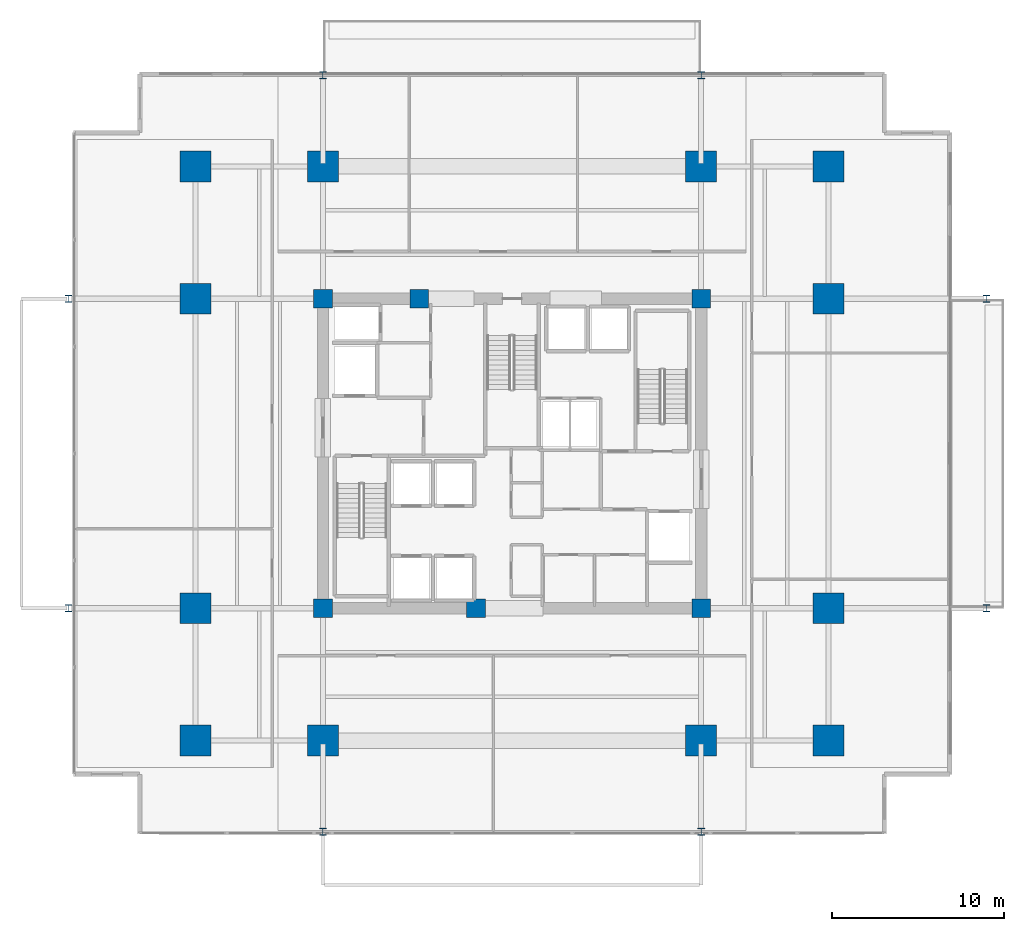
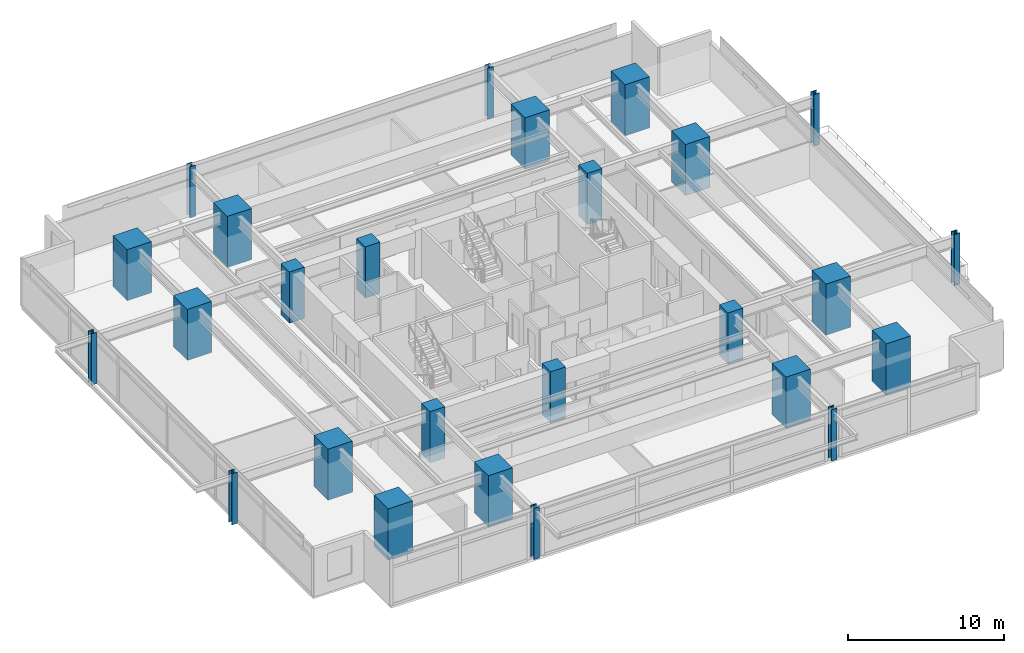
# One storey, part 1 of 21: 26 columns.
"""IFC4 building model written with IfcOpenShell, lengths in metres."""

from ifc_helpers import new_model, si_unit, direction, frame, origin, origin_2d, place, context, subcontext, project, spatial, rectangle, i_section, extrude, material, material_profile, profile_set, type_object, element, save


model = new_model("IFC4")

# Units and contexts
model_context = context("Model", 3, precision=1e-05, world=origin(), true_north=direction((0.0, 1.0)))
body_context = subcontext(model_context, "Body", "Model", "MODEL_VIEW")
ifc_project = project(units=[si_unit("LENGTHUNIT", "METRE"), si_unit("AREAUNIT", "SQUARE_METRE"), si_unit("VOLUMEUNIT", "CUBIC_METRE"), si_unit("PLANEANGLEUNIT", "RADIAN"), si_unit("MASSUNIT", "GRAM", prefix="KILO")], contexts=[model_context])

# Site, building, storey
site_placement = place(None, origin())
site = spatial("IfcSite", under=ifc_project, at=site_placement, CompositionType="ELEMENT")
building_placement = place(site_placement, origin())
building = spatial("IfcBuilding", under=site, at=building_placement, Name="Kovane Verandah Tower", CompositionType="ELEMENT")
storey_placement = place(building_placement, frame((0.0, 0.0, 47.60009765625)))
storey = spatial("IfcBuildingStorey", under=building, at=storey_placement, Name="L10", CompositionType="ELEMENT", Elevation=47.60009765625)

# Columns
ifc_material_1 = material(Name="Concrete C80/95", Category="concrete")
ifc_material_profile_1 = material_profile(ifc_material_1, rectangle(XDim=1.800048828125, YDim=1.800048828125, at=origin_2d()), Name="RC1800x1800")
ifc_profile_set_1 = profile_set([ifc_material_profile_1], Name="Concrete C80/95")
column_type_1 = type_object("IfcColumnType", Name="COL-RC1800", PredefinedType="COLUMN", material=ifc_profile_set_1)
for number, where, z_axis, x_axis, name in (
    (1, (29.0, 10.800048828125, 0.0), (0.0, 0.0, 1.0), (1.0, 0.0, 0.0), "L10 Tower Mega-Column MC-S1"),
    (2, (51.0, 10.800048828125, 0.0), (0.0, 0.0, 1.0), (1.0, 0.0, 0.0), "L10 Tower Mega-Column MC-S2"),
    (3, (29.0, 44.199951171875, 0.0), (0.0, 0.0, 1.0), (1.0, 0.0, 0.0), "L10 Tower Mega-Column MC-N1"),
    (4, (51.0, 44.199951171875, 0.0), (0.0, 0.0, 1.0), (1.0, 0.0, 0.0), "L10 Tower Mega-Column MC-N2"),
    (5, (21.60009765625, 18.5, 0.0), (0.0, 0.0, 1.0), (1.0, 0.0, 0.0), "L10 Tower Mega-Column MC-W1"),
    (6, (21.60009765625, 36.5, 0.0), (0.0, 0.0, 1.0), (1.0, 0.0, 0.0), "L10 Tower Mega-Column MC-W2"),
    (7, (58.39990234375, 18.5, 0.0), (0.0, 0.0, 1.0), (1.0, 0.0, 0.0), "L10 Tower Mega-Column MC-E1"),
    (8, (58.39990234375, 36.5, 0.0), (0.0, 0.0, 1.0), (1.0, 0.0, 0.0), "L10 Tower Mega-Column MC-E2"),
    (9, (21.60009765625, 10.800048828125, 0.0), (0.0, 0.0, 1.0), (1.0, 0.0, 0.0), "L10 Tower Mega-Column MC-SW"),
    (10, (58.39990234375, 10.800048828125, 0.0), (0.0, 0.0, 1.0), (1.0, 0.0, 0.0), "L10 Tower Mega-Column MC-SE"),
    (11, (21.60009765625, 44.199951171875, 0.0), (0.0, 0.0, 1.0), (1.0, 0.0, 0.0), "L10 Tower Mega-Column MC-NW"),
    (12, (58.39990234375, 44.199951171875, 0.0), (0.0, 0.0, 1.0), (1.0, 0.0, 0.0), "L10 Tower Mega-Column MC-NE"),
):
    element("IfcColumn", number, at=place(storey_placement, frame(where, z_axis=z_axis, x_axis=x_axis)), inside=storey, type_object=column_type_1, Name=name, PredefinedType="COLUMN", context=body_context, shape_type="SweptSolid", body=[
        extrude(rectangle(XDim=1.800048828125, YDim=1.800048828125, at=origin_2d()), origin(), (0.0, 0.0, 1.0), 4.0),
    ])
ifc_material_2 = material(Name="Steel S460", Category="steel")
ifc_material_profile_2 = material_profile(ifc_material_2, i_section(OverallWidth=0.412109375, OverallDepth=0.4365234375, WebThickness=0.035888671875, FlangeThickness=0.05810546875, FilletRadius=0.01513671875, at=origin_2d()), Name="UC356x406x467")
ifc_profile_set_2 = profile_set([ifc_material_profile_2], Name="Steel S460")
column_type_2 = type_object("IfcColumnType", Name="COL-UC467", PredefinedType="COLUMN", material=ifc_profile_set_2)
for number, where, z_axis, x_axis, name in (
    (13, (14.199951171875, 18.5, 0.0), (0.0, 0.0, 1.0), (1.0, 0.0, 0.0), "L10 Verandah Perimeter Column VC-W1"),
    (14, (14.199951171875, 36.5, 0.0), (0.0, 0.0, 1.0), (1.0, 0.0, 0.0), "L10 Verandah Perimeter Column VC-W2"),
    (15, (67.60009765625, 18.5, 0.0), (0.0, 0.0, 1.0), (1.0, 0.0, 0.0), "L10 Verandah Perimeter Column VC-E1"),
    (16, (67.60009765625, 36.5, 0.0), (0.0, 0.0, 1.0), (1.0, 0.0, 0.0), "L10 Verandah Perimeter Column VC-E2"),
    (17, (29.0, 5.5, 0.0), (0.0, 0.0, 1.0), (1.0, 0.0, 0.0), "L10 Verandah Perimeter Column VC-S1"),
    (18, (51.0, 5.5, 0.0), (0.0, 0.0, 1.0), (1.0, 0.0, 0.0), "L10 Verandah Perimeter Column VC-S2"),
    (19, (29.0, 49.5, 0.0), (0.0, 0.0, 1.0), (1.0, 0.0, 0.0), "L10 Verandah Perimeter Column VC-N1"),
    (20, (51.0, 49.5, 0.0), (0.0, 0.0, 1.0), (1.0, 0.0, 0.0), "L10 Verandah Perimeter Column VC-N2"),
):
    element("IfcColumn", number, at=place(storey_placement, frame(where, z_axis=z_axis, x_axis=x_axis)), inside=storey, type_object=column_type_2, Name=name, PredefinedType="COLUMN", context=body_context, shape_type="SweptSolid", body=[
        extrude(i_section(OverallWidth=0.412109375, OverallDepth=0.4365234375, WebThickness=0.035888671875, FlangeThickness=0.05810546875, FilletRadius=0.01513671875, at=origin_2d()), origin(), (0.0, 0.0, 1.0), 4.0),
    ])
ifc_material_profile_3 = material_profile(ifc_material_1, rectangle(XDim=1.10009765625, YDim=1.10009765625, at=origin_2d()), Name="RC1100x1100")
ifc_profile_set_3 = profile_set([ifc_material_profile_3], Name="Concrete C80/95")
column_type_3 = type_object("IfcColumnType", Name="PIL-RC1100", PredefinedType="PILASTER", material=ifc_profile_set_3)
for number, where, z_axis, x_axis, name in (
    (21, (29.0, 18.5, 0.0), (0.0, 0.0, 1.0), (1.0, 0.0, 0.0), "L10 Core Pilaster CP-SW"),
    (22, (51.0, 18.5, 0.0), (0.0, 0.0, 1.0), (1.0, 0.0, 0.0), "L10 Core Pilaster CP-SE"),
    (23, (29.0, 36.5, 0.0), (0.0, 0.0, 1.0), (1.0, 0.0, 0.0), "L10 Core Pilaster CP-NW"),
    (24, (51.0, 36.5, 0.0), (0.0, 0.0, 1.0), (1.0, 0.0, 0.0), "L10 Core Pilaster CP-NE"),
    (25, (37.89990234375, 18.5, 0.0), (0.0, 0.0, 1.0), (1.0, 0.0, 0.0), "L10 Core Pilaster CP-S"),
    (26, (34.60009765625, 36.5, 0.0), (0.0, 0.0, 1.0), (1.0, 0.0, 0.0), "L10 Core Pilaster CP-N"),
):
    element("IfcColumn", number, at=place(storey_placement, frame(where, z_axis=z_axis, x_axis=x_axis)), inside=storey, type_object=column_type_3, Name=name, PredefinedType="PILASTER", context=body_context, shape_type="SweptSolid", body=[
        extrude(rectangle(XDim=1.10009765625, YDim=1.10009765625, at=origin_2d()), origin(), (0.0, 0.0, 1.0), 4.0),
    ])

save(model, "model.ifc")
